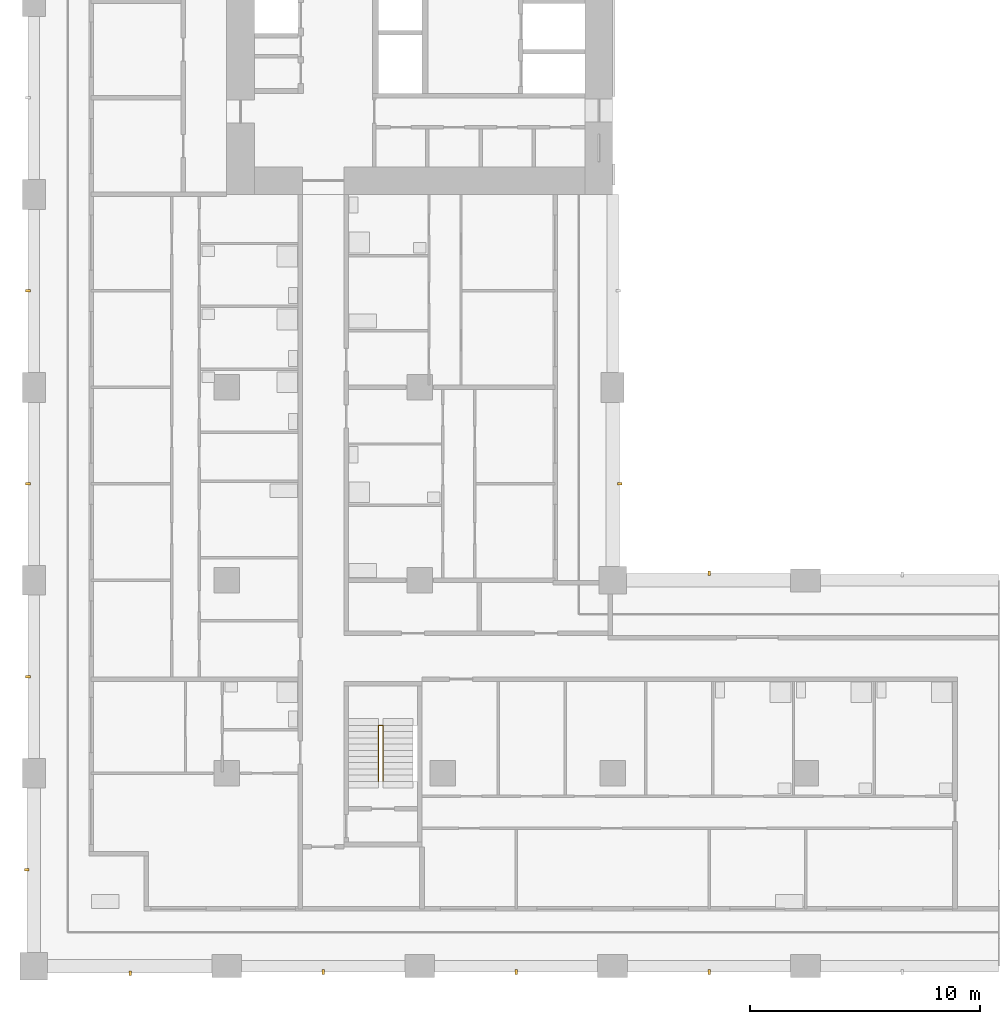
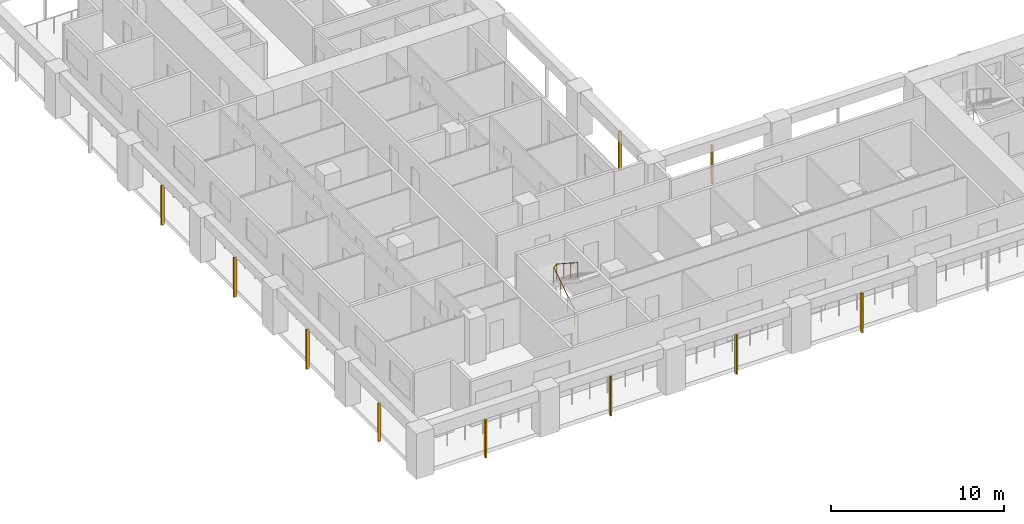
# One storey, part 10 of 17: 10 shading devices, 1 railing.
"""IFC4 building model written with IfcOpenShell, lengths in metres."""

from ifc_helpers import new_model, si_unit, direction, frame, origin, origin_2d, place, context, subcontext, project, spatial, rectangle, circle, extrude, material, material_profile, profile_set, type_object, element, save


model = new_model("IFC4")

# Units and contexts
model_context = context("Model", 3, precision=1e-05, world=origin(), true_north=direction((0.0, 1.0)))
body_context = subcontext(model_context, "Body", "Model", "MODEL_VIEW")
ifc_project = project(units=[si_unit("LENGTHUNIT", "METRE"), si_unit("AREAUNIT", "SQUARE_METRE"), si_unit("VOLUMEUNIT", "CUBIC_METRE"), si_unit("PLANEANGLEUNIT", "RADIAN"), si_unit("MASSUNIT", "GRAM", prefix="KILO")], contexts=[model_context])

# Site, building, storey
site_placement = place(None, origin())
site = spatial("IfcSite", under=ifc_project, at=site_placement, CompositionType="ELEMENT")
building_placement = place(site_placement, origin())
building = spatial("IfcBuilding", under=site, at=building_placement, Name="Vermilion Gate Residences", CompositionType="ELEMENT")
storey_placement = place(building_placement, frame((0.0, 0.0, 98.699951171875)))
storey = spatial("IfcBuildingStorey", under=building, at=storey_placement, Name="L24", CompositionType="ELEMENT", Elevation=98.699951171875)

# Railing
ifc_material_1 = material(Name="Steel S355", Category="steel")
railing_type = type_object("IfcRailingType", Name="STAIR GUARD 1100 STEEL", PredefinedType="GUARDRAIL", material=ifc_material_1)
railing_placement = place(storey_placement, frame((15.0, 16.449951171875, 0.175048828125)))
element("IfcRailing", 1, at=railing_placement, inside=storey, type_object=railing_type, Name="Stair well guard STC1-24", PredefinedType="GUARDRAIL", context=body_context, shape_type="SweptSolid", body=[
    extrude(circle(Radius=0.02392578125, at=origin_2d()), frame((0.0, 0.0, 1.076171875), z_axis=(0.0, 0.839153699163, 0.543894354798), x_axis=(-1.0, 0.0, 0.0)), (0.0, 0.0, 1.0), 2.895751953125),
    extrude(circle(Radius=0.02392578125, at=origin_2d()), frame((0.0, 2.429931640625, 2.65087890625), z_axis=(0.752405939678, 0.0, 0.658699705433), x_axis=(0.0, 1.0, 0.0)), (0.0, 0.0, 1.0), 0.265869140625),
    extrude(circle(Radius=0.02392578125, at=origin_2d()), frame((0.199951171875, 2.429931640625, 2.826171875), z_axis=(0.0, -0.839153699163, 0.543894354798), x_axis=(1.0, 0.0, 0.0)), (0.0, 0.0, 1.0), 2.895751953125),
    extrude(circle(Radius=0.02099609375, at=origin_2d()), origin(), (0.0, 0.0, 1.0), 1.052001953125),
    extrude(circle(Radius=0.02099609375, at=origin_2d()), frame((0.0, 0.81005859375, 0.52490234375)), (0.0, 0.0, 1.0), 1.052001953125),
    extrude(circle(Radius=0.02099609375, at=origin_2d()), frame((0.0, 1.619873046875, 1.050048828125)), (0.0, 0.0, 1.0), 1.052001953125),
    extrude(circle(Radius=0.02099609375, at=origin_2d()), frame((0.0, 2.429931640625, 1.574951171875)), (0.0, 0.0, 1.0), 1.052001953125),
    extrude(circle(Radius=0.02099609375, at=origin_2d()), frame((0.199951171875, 2.429931640625, 1.75)), (0.0, 0.0, 1.0), 1.052001953125),
    extrude(circle(Radius=0.02099609375, at=origin_2d()), frame((0.199951171875, 1.619873046875, 2.27490234375)), (0.0, 0.0, 1.0), 1.052001953125),
    extrude(circle(Radius=0.02099609375, at=origin_2d()), frame((0.199951171875, 0.81005859375, 2.800048828125)), (0.0, 0.0, 1.0), 1.052001953125),
    extrude(circle(Radius=0.02099609375, at=origin_2d()), frame((0.199951171875, 0.0, 3.324951171875)), (0.0, 0.0, 1.0), 1.052001953125),
])

# Shading devices
ifc_material_2 = material(Name="Extruded terracotta", Category="masonry")
ifc_material_profile = material_profile(ifc_material_2, rectangle(XDim=0.199951171875, YDim=0.10009765625, at=origin_2d()), Name="BAGUETTE 100 X 200")
ifc_profile_set = profile_set([ifc_material_profile], Name="Extruded terracotta")
shading_device_type = type_object("IfcShadingDeviceType", Name="TERRACOTTA BAGUETTE 100 X 200", PredefinedType="JALOUSIE", material=ifc_profile_set)
shading_device_placement = place(storey_placement, frame((4.199951171875, 8.10009765625, -0.280029296875), z_axis=(0.0, 0.0, 1.0), x_axis=(0.0, 1.0, 0.0)))
element("IfcShadingDevice", 2, at=shading_device_placement, inside=storey, type_object=shading_device_type, Name="BAGUETTE", PredefinedType="JALOUSIE", context=body_context, shape_type="SweptSolid", body=[
    extrude(rectangle(XDim=0.199951171875, YDim=0.10009765625, at=origin_2d()), origin(), (0.0, 0.0, 1.0), 2.7001953125),
])
for number, where, z_axis, x_axis, name in (
    (3, (12.60009765625, 8.14990234375, -0.280029296875), (0.0, 0.0, 1.0), (0.0, 1.0, 0.0), "BAGUETTE"),
    (4, (21.0, 8.14990234375, -0.280029296875), (0.0, 0.0, 1.0), (0.0, 1.0, 0.0), "BAGUETTE"),
    (5, (29.39990234375, 8.14990234375, -0.280029296875), (0.0, 0.0, 1.0), (0.0, 1.0, 0.0), "BAGUETTE"),
):
    element("IfcShadingDevice", number, at=place(storey_placement, frame(where, z_axis=z_axis, x_axis=x_axis)), inside=storey, type_object=shading_device_type, Name=name, PredefinedType="JALOUSIE", context=body_context, shape_type="SweptSolid", body=[
        extrude(rectangle(XDim=0.199951171875, YDim=0.10009765625, at=origin_2d()), origin(), (0.0, 0.0, 1.0), 2.800048828125),
    ])
for number, where, z_axis, x_axis, name in (
    (6, (29.39990234375, 25.5, -0.280029296875), (0.0, 0.0, 1.0), (0.0, -1.0, 0.0), "BAGUETTE"),
    (7, (25.5, 29.39990234375, -0.280029296875), (0.0, 0.0, 1.0), (-1.0, 0.0, 0.0), "BAGUETTE"),
    (8, (-0.300048828125, 12.60009765625, -0.280029296875), (0.0, 0.0, 1.0), (1.0, 0.0, 0.0), "BAGUETTE"),
):
    element("IfcShadingDevice", number, at=place(storey_placement, frame(where, z_axis=z_axis, x_axis=x_axis)), inside=storey, type_object=shading_device_type, Name=name, PredefinedType="JALOUSIE", context=body_context, shape_type="SweptSolid", body=[
        extrude(rectangle(XDim=0.199951171875, YDim=0.10009765625, at=origin_2d()), origin(), (0.0, 0.0, 1.0), 2.7001953125),
    ])
for number, where, z_axis, x_axis, name in (
    (9, (-0.25, 21.0, -0.280029296875), (0.0, 0.0, 1.0), (1.0, 0.0, 0.0), "BAGUETTE"),
    (10, (-0.25, 29.39990234375, -0.280029296875), (0.0, 0.0, 1.0), (1.0, 0.0, 0.0), "BAGUETTE"),
    (11, (-0.25, 37.800048828125, -0.280029296875), (0.0, 0.0, 1.0), (1.0, 0.0, 0.0), "BAGUETTE"),
):
    element("IfcShadingDevice", number, at=place(storey_placement, frame(where, z_axis=z_axis, x_axis=x_axis)), inside=storey, type_object=shading_device_type, Name=name, PredefinedType="JALOUSIE", context=body_context, shape_type="SweptSolid", body=[
        extrude(rectangle(XDim=0.199951171875, YDim=0.10009765625, at=origin_2d()), origin(), (0.0, 0.0, 1.0), 2.800048828125),
    ])

save(model, "model.ifc")
